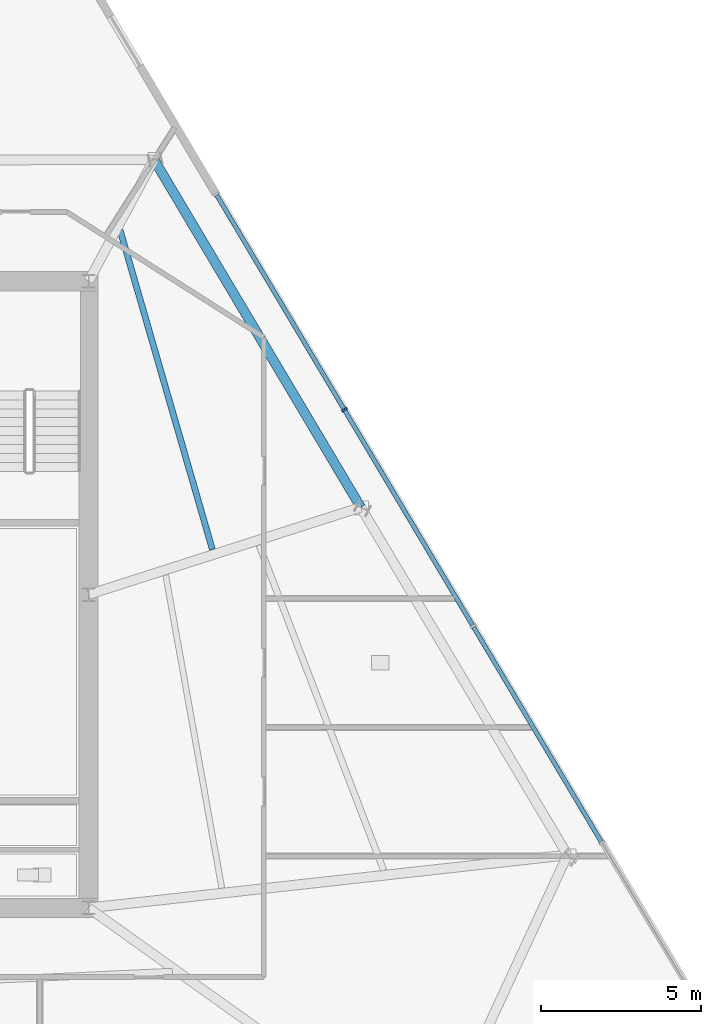
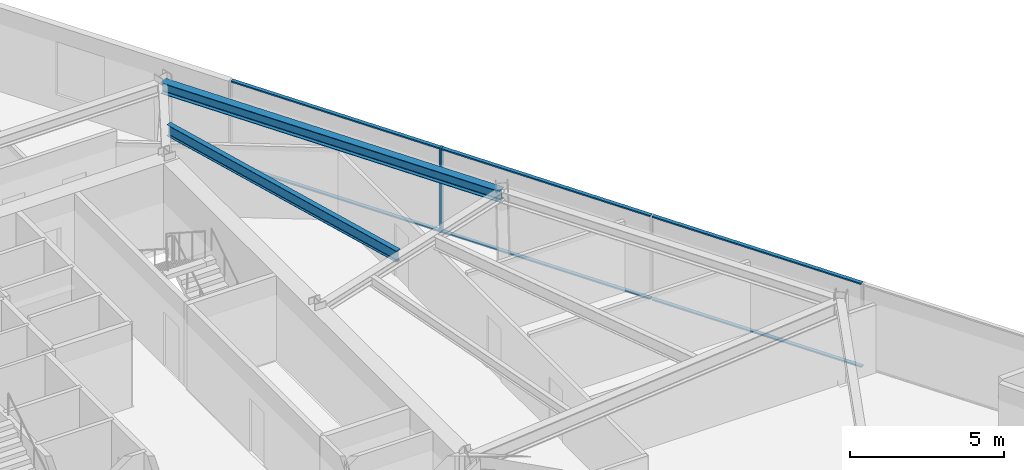
# One storey, part 5 of 15: 7 members, 2 beams, 1 element without a shape of its own.
"""IFC4 building model written with IfcOpenShell, lengths in metres."""

from ifc_helpers import new_model, si_unit, direction, frame, origin, origin_2d, place, context, subcontext, project, spatial, rectangle, i_section, extrude, material, material_profile, profile_set, type_object, element, aggregate, save


model = new_model("IFC4")

# Units and contexts
model_context = context("Model", 3, precision=1e-05, world=origin(), true_north=direction((0.0, 1.0)))
body_context = subcontext(model_context, "Body", "Model", "MODEL_VIEW")
ifc_project = project(units=[si_unit("LENGTHUNIT", "METRE"), si_unit("AREAUNIT", "SQUARE_METRE"), si_unit("VOLUMEUNIT", "CUBIC_METRE"), si_unit("PLANEANGLEUNIT", "RADIAN"), si_unit("MASSUNIT", "GRAM", prefix="KILO")], contexts=[model_context])

# Site, building, storey
site_placement = place(None, origin())
site = spatial("IfcSite", under=ifc_project, at=site_placement, CompositionType="ELEMENT")
building_placement = place(site_placement, origin())
building = spatial("IfcBuilding", under=site, at=building_placement, Name="Savorim Split Tower", CompositionType="ELEMENT")
storey_placement = place(building_placement, frame((0.0, 0.0, 122.10009765625)))
storey = spatial("IfcBuildingStorey", under=building, at=storey_placement, Name="L32", CompositionType="ELEMENT", Elevation=122.10009765625)

# Beams
ifc_material_1 = material(Name="Steel S355", Category="steel")
ifc_material_profile_1 = material_profile(ifc_material_1, i_section(OverallWidth=0.18994140625, OverallDepth=0.449951171875, WebThickness=0.009521484375, FlangeThickness=0.0146484375, FilletRadius=0.02099609375, at=origin_2d()), Name="IPE 450")
ifc_profile_set_1 = profile_set([ifc_material_profile_1], Name="Steel S355")
beam_type_1 = type_object("IfcBeamType", Name="BM-JST-IPE450", PredefinedType="JOIST", material=ifc_profile_set_1)
beam_1_placement = place(storey_placement, frame((11.5703125, 1.8095703125, 3.125), z_axis=(-0.277589269971, 0.96069984761, 0.0), x_axis=(-0.96069984761, -0.277589269971, 0.0)))
element("IfcBeam", 1, at=beam_1_placement, inside=storey, type_object=beam_type_1, Name="L32 Secondary Floor Joist JS-07", PredefinedType="JOIST", context=body_context, shape_type="SweptSolid", body=[
    extrude(i_section(OverallWidth=0.18994140625, OverallDepth=0.449951171875, WebThickness=0.009521484375, FlangeThickness=0.0146484375, FilletRadius=0.02099609375, at=origin_2d()), origin(), (0.0, 0.0, 1.0), 10.394775390625),
])
ifc_material_profile_2 = material_profile(ifc_material_1, i_section(OverallWidth=0.300048828125, OverallDepth=0.43994140625, WebThickness=0.011474609375, FlangeThickness=0.02099609375, FilletRadius=0.027099609375, at=origin_2d()), Name="HEA 450")
ifc_profile_set_2 = profile_set([ifc_material_profile_2], Name="Steel S355")
beam_type_2 = type_object("IfcBeamType", Name="BM-SPN-HEA450", PredefinedType="SPANDREL", material=ifc_profile_set_2)
beam_2_placement = place(storey_placement, frame((16.2099609375, 3.1298828125, 3.1298828125), z_axis=(-0.511097358034, 0.859522827277, 0.0), x_axis=(-0.859522827277, -0.511097358034, 0.0)))
element("IfcBeam", 2, at=beam_2_placement, inside=storey, type_object=beam_type_2, Name="L32 Perimeter Spandrel Beam 6", PredefinedType="SPANDREL", context=body_context, shape_type="SweptSolid", body=[
    extrude(i_section(OverallWidth=0.300048828125, OverallDepth=0.43994140625, WebThickness=0.011474609375, FlangeThickness=0.02099609375, FilletRadius=0.027099609375, at=origin_2d()), origin(), (0.0, 0.0, 1.0), 12.650390625),
])

# Curtain wall, members
ifc_material_2 = material(Name="Dark Ceramic-Fritted Insulated Glass", Category="glass")
curtain_wall_type = type_object("IfcCurtainWallType", Name="CW-TWR-FRIT-A", PredefinedType="NOTDEFINED", material=ifc_material_2)
curtain_wall_placement = place(storey_placement, origin())
curtain_wall = element("IfcCurtainWall", 3, at=curtain_wall_placement, inside=storey, type_object=curtain_wall_type, Name="L32 Curtain Wall CW-L32-EAST", PredefinedType="NOTDEFINED")
ifc_material_3 = material(Name="Charcoal Anodised Aluminium", Category="aluminium")
ifc_material_profile_3 = material_profile(ifc_material_3, rectangle(XDim=0.179931640625, YDim=0.06494140625, at=origin_2d()), Name="ALU-M 180x65")
ifc_profile_set_3 = profile_set([ifc_material_profile_3], Name="Charcoal Anodised Aluminium")
member_type_1 = type_object("IfcMemberType", Name="CWM-180x65", PredefinedType="MULLION", material=ifc_profile_set_3)
member_1_placement = place(storey_placement, frame((15.6982421875, 6.1806640625, 0.0), z_axis=(0.0, 0.0, 1.0), x_axis=(-0.859525409745, -0.51109301502, 0.0)))
member_1 = element("IfcMember", 4, at=member_1_placement, type_object=member_type_1, Name="CW-02 mullion 4", PredefinedType="MULLION", context=body_context, shape_type="SweptSolid", body=[
    extrude(rectangle(XDim=0.179931640625, YDim=0.06494140625, at=origin_2d()), origin(), (0.0, 0.0, 1.0), 3.349853515625),
])
ifc_material_profile_4 = material_profile(ifc_material_3, rectangle(XDim=0.139892578125, YDim=0.054931640625, at=origin_2d()), Name="ALU-T 140x55")
ifc_profile_set_4 = profile_set([ifc_material_profile_4], Name="Charcoal Anodised Aluminium")
member_type_2 = type_object("IfcMemberType", Name="CWT-140x55", PredefinedType="USERDEFINED", material=ifc_profile_set_4)
member_2_placement = place(storey_placement, frame((23.7314453125, -7.328857421875, 0.02734375), z_axis=(-0.511099111731, 0.859521784475, 0.0), x_axis=(-0.859521784475, -0.511099111731, 0.0)))
member_2 = element("IfcMember", 5, at=member_2_placement, type_object=member_type_2, Name="CW-02 transom 2.1", ObjectType="TRANSOM", PredefinedType="USERDEFINED", context=body_context, shape_type="SweptSolid", body=[
    extrude(rectangle(XDim=0.139892578125, YDim=0.054931640625, at=origin_2d()), origin(), (0.0, 0.0, 1.0), 7.81005859375),
])
member_3_placement = place(storey_placement, frame((23.7314453125, -7.328857421875, 3.322509765625), z_axis=(-0.511099111731, 0.859521784475, 0.0), x_axis=(-0.859521784475, -0.511099111731, 0.0)))
member_3 = element("IfcMember", 6, at=member_3_placement, type_object=member_type_2, Name="CW-02 transom 2.2", ObjectType="TRANSOM", PredefinedType="USERDEFINED", context=body_context, shape_type="SweptSolid", body=[
    extrude(rectangle(XDim=0.139892578125, YDim=0.054931640625, at=origin_2d()), origin(), (0.0, 0.0, 1.0), 7.81005859375),
])
member_4_placement = place(storey_placement, frame((19.70654296875, -0.56005859375, 0.02734375), z_axis=(-0.511099111731, 0.859521784475, 0.0), x_axis=(-0.859521784475, -0.511099111731, 0.0)))
member_4 = element("IfcMember", 7, at=member_4_placement, type_object=member_type_2, Name="CW-02 transom 3.1", ObjectType="TRANSOM", PredefinedType="USERDEFINED", context=body_context, shape_type="SweptSolid", body=[
    extrude(rectangle(XDim=0.139892578125, YDim=0.054931640625, at=origin_2d()), origin(), (0.0, 0.0, 1.0), 7.81005859375),
])
member_5_placement = place(storey_placement, frame((19.70654296875, -0.56005859375, 3.322509765625), z_axis=(-0.511099111731, 0.859521784475, 0.0), x_axis=(-0.859521784475, -0.511099111731, 0.0)))
member_5 = element("IfcMember", 8, at=member_5_placement, type_object=member_type_2, Name="CW-02 transom 3.2", ObjectType="TRANSOM", PredefinedType="USERDEFINED", context=body_context, shape_type="SweptSolid", body=[
    extrude(rectangle(XDim=0.139892578125, YDim=0.054931640625, at=origin_2d()), origin(), (0.0, 0.0, 1.0), 7.81005859375),
])
member_6_placement = place(storey_placement, frame((15.681640625, 6.208740234375, 0.02734375), z_axis=(-0.511084795046, 0.859530297472, 0.0), x_axis=(-0.859530297472, -0.511084795046, 0.0)))
member_6 = element("IfcMember", 9, at=member_6_placement, type_object=member_type_2, Name="CW-02 transom 4.1", ObjectType="TRANSOM", PredefinedType="USERDEFINED", context=body_context, shape_type="SweptSolid", body=[
    extrude(rectangle(XDim=0.139892578125, YDim=0.054931640625, at=origin_2d()), origin(), (0.0, 0.0, 1.0), 7.77734375),
])
member_7_placement = place(storey_placement, frame((15.681640625, 6.208740234375, 3.322509765625), z_axis=(-0.511084795046, 0.859530297472, 0.0), x_axis=(-0.859530297472, -0.511084795046, 0.0)))
member_7 = element("IfcMember", 10, at=member_7_placement, type_object=member_type_2, Name="CW-02 transom 4.2", ObjectType="TRANSOM", PredefinedType="USERDEFINED", context=body_context, shape_type="SweptSolid", body=[
    extrude(rectangle(XDim=0.139892578125, YDim=0.054931640625, at=origin_2d()), origin(), (0.0, 0.0, 1.0), 7.77734375),
])
aggregate(curtain_wall, [member_1, member_2, member_3, member_4, member_5, member_6, member_7])

save(model, "model.ifc")
